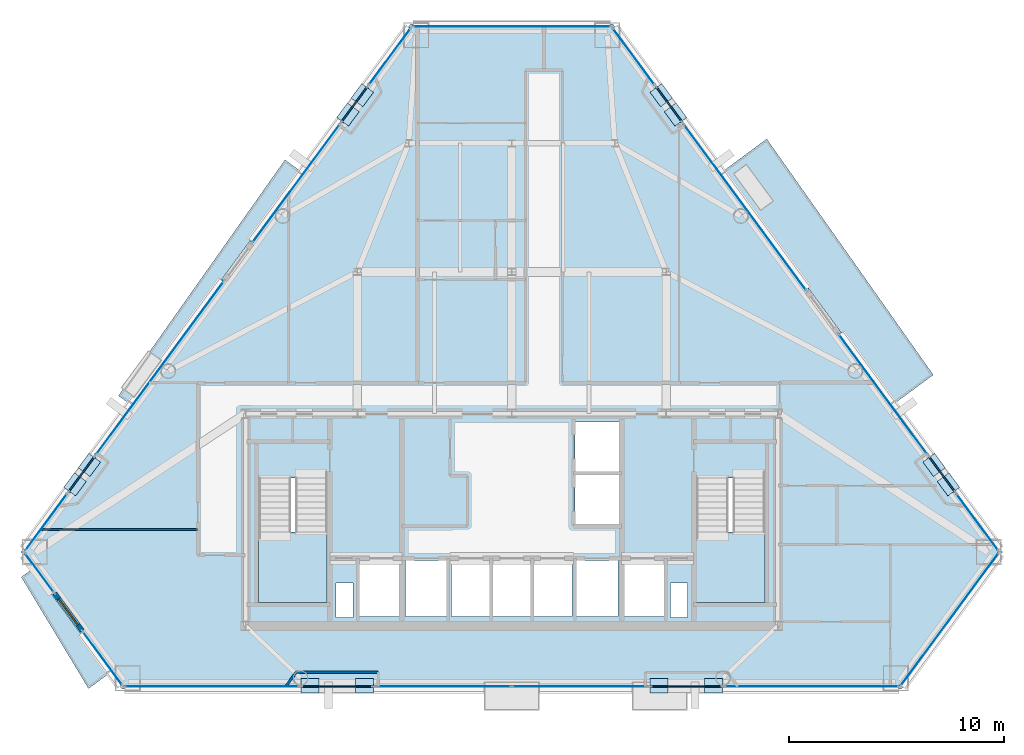
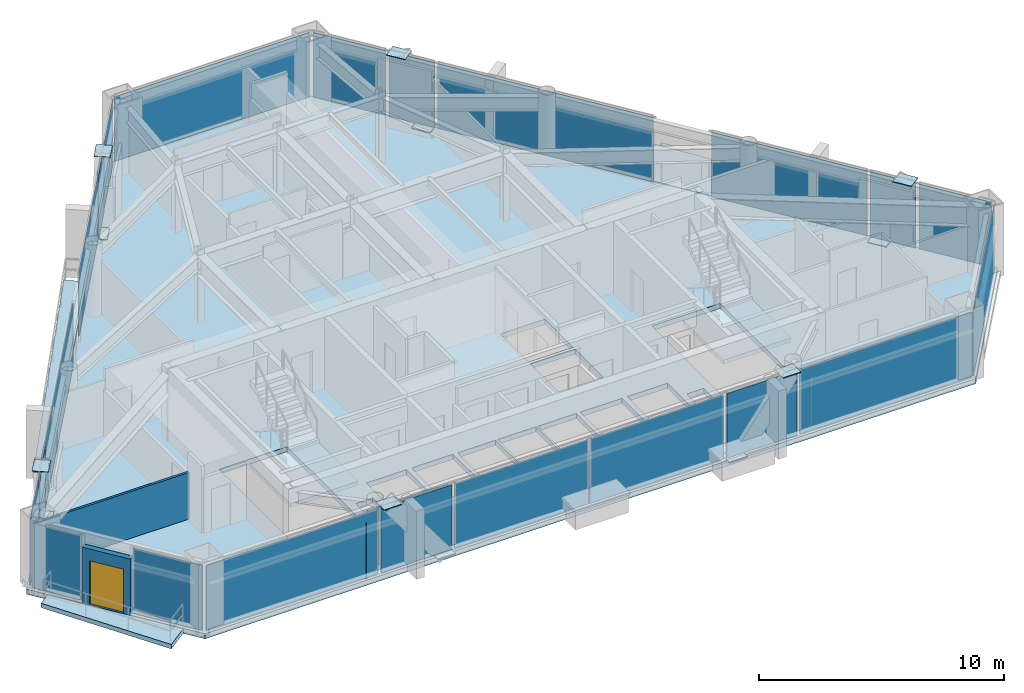
# One storey, part 6 of 11: 34 plates, 6 slabs, 4 walls, 1 door, 1 opening, 23 elements without a shape of their own.
"""IFC4 building model written with IfcOpenShell, lengths in metres."""

from ifc_helpers import new_model, si_unit, direction, frame, frame_2d, origin, origin_2d, place, context, subcontext, project, spatial, polyline, rectangle, outline, extrude, source, transform, mapped, material, layer, layer_set, type_object, type_shapes, element, fill, aggregate, save


model = new_model("IFC4")

# Units and contexts
model_context = context("Model", 3, precision=1e-05, world=origin(), true_north=direction((0.0, 1.0)))
body_context = subcontext(model_context, "Body", "Model", "MODEL_VIEW")
ifc_project = project(units=[si_unit("LENGTHUNIT", "METRE"), si_unit("AREAUNIT", "SQUARE_METRE"), si_unit("VOLUMEUNIT", "CUBIC_METRE"), si_unit("PLANEANGLEUNIT", "RADIAN"), si_unit("MASSUNIT", "GRAM", prefix="KILO")], contexts=[model_context])

# Site, building, storey
site_placement = place(None, origin())
site = spatial("IfcSite", under=ifc_project, at=site_placement, CompositionType="ELEMENT")
building_placement = place(site_placement, origin())
building = spatial("IfcBuilding", under=site, at=building_placement, Name="Talgorran Terracotta Tower", CompositionType="ELEMENT")
storey_placement = place(building_placement, frame((0.0, 0.0, 158.10009765625)))
storey = spatial("IfcBuildingStorey", under=building, at=storey_placement, Name="L41", CompositionType="ELEMENT", Elevation=158.10009765625)

# Plates
ifc_material_1 = material(Name="Steel Grade 350 (350L0)", Category="steel")
ifc_layer_1 = layer(ifc_material_1, 0.035888671875, Name="PL_CAP_MN06")
ifc_layer_set_1 = layer_set([ifc_layer_1], Name="Steel Grade 350 (350L0)")
plate_type_1 = type_object("IfcPlateType", Name="PL_CAP_MN06", PredefinedType="USERDEFINED", material=ifc_layer_set_1)
for number, where, z_axis, x_axis, name in (
    (1, (-6.870361328125, -16.889892578125, -0.0078125), (0.0, 0.0, 1.0), (-1.0, 0.0, 0.0), "L41 Diagonal Frame End Cap SWF Bot"),
    (2, (-9.401611328125, -16.889892578125, 3.32177734375), (0.0, 0.0, 1.0), (-1.0, 0.0, 0.0), "L41 Diagonal Frame End Cap SWF Top"),
    (3, (6.870361328125, -16.889892578125, -0.0078125), (0.0, 0.0, 1.0), (1.0, 0.0, 0.0), "L41 Diagonal Frame End Cap SEF Bot"),
    (4, (9.401611328125, -16.889892578125, 3.32177734375), (0.0, 0.0, 1.0), (1.0, 0.0, 0.0), "L41 Diagonal Frame End Cap SEF Top"),
    (5, (19.686279296875, -6.595947265625, -0.0078125), (0.0, 0.0, 1.0), (0.593699811383, -0.804686606055, 0.0), "L41 Diagonal Frame End Cap NEL Bot"),
    (6, (20.35400390625, -7.500732421875, 3.32177734375), (0.0, 0.0, 1.0), (0.593699811383, -0.804686606055, 0.0), "L41 Diagonal Frame End Cap NEL Top"),
    (7, (7.6337890625, 9.736083984375, -0.0078125), (0.0, 0.0, 1.0), (-0.593699811383, 0.804686606055, 0.0), "L41 Diagonal Frame End Cap NEU Bot"),
    (8, (6.96630859375, 10.640625, 3.32177734375), (0.0, 0.0, 1.0), (-0.593699811383, 0.804686606055, 0.0), "L41 Diagonal Frame End Cap NEU Top"),
    (9, (-7.6337890625, 9.736083984375, -0.0078125), (0.0, 0.0, 1.0), (0.593699811383, 0.804686606055, 0.0), "L41 Diagonal Frame End Cap NWU Bot"),
    (10, (-6.96630859375, 10.640625, 3.32177734375), (0.0, 0.0, 1.0), (0.593699811383, 0.804686606055, 0.0), "L41 Diagonal Frame End Cap NWU Top"),
    (11, (-19.686279296875, -6.595947265625, -0.0078125), (0.0, 0.0, 1.0), (-0.593699811383, -0.804686606055, 0.0), "L41 Diagonal Frame End Cap NWL Bot"),
    (12, (-20.35400390625, -7.500732421875, 3.32177734375), (0.0, 0.0, 1.0), (-0.593699811383, -0.804686606055, 0.0), "L41 Diagonal Frame End Cap NWL Top"),
):
    element("IfcPlate", number, at=place(storey_placement, frame(where, z_axis=z_axis, x_axis=x_axis)), inside=storey, type_object=plate_type_1, Name=name, ObjectType="CAP PLATE", PredefinedType="USERDEFINED", context=body_context, shape_type="SweptSolid", body=[
        extrude(rectangle(XDim=0.840087890625, YDim=0.679931640625, at=origin_2d()), origin(), (0.0, 0.0, 1.0), 0.035888671875),
    ])

# Slabs
ifc_material_2 = material(Name="Concrete C40/50", Category="concrete")
ifc_layer_2 = layer(ifc_material_2, 0.219970703125, Name="SL_BALCONY_220")
ifc_layer_set_2 = layer_set([ifc_layer_2], Name="Concrete C40/50")
slab_type_1 = type_object("IfcSlabType", Name="SL_BALCONY_220", PredefinedType="FLOOR", material=ifc_layer_set_2)
slab_1_placement = place(storey_placement, frame((0.0, 0.0, -0.22021484375)))
element("IfcSlab", 13, at=slab_1_placement, inside=storey, type_object=slab_type_1, Name="L41 Outdoor Wave Balcony BAL-NE", PredefinedType="FLOOR", context=body_context, shape_type="SweptSolid", body=[
    extrude(outline(polyline([(9.816650390625, 7.072998046875), (17.8076171875, -3.755126953125), (19.64794921875, -2.39697265625), (11.884765625, 8.59912109375), (9.816650390625, 7.072998046875)])), origin(), (0.0, 0.0, 1.0), 0.22021484375),
])
slab_2_placement = place(storey_placement, frame((0.0, 0.0, -0.22021484375)))
element("IfcSlab", 14, at=slab_2_placement, inside=storey, type_object=slab_type_1, Name="L41 Outdoor Wave Balcony BAL-NW", PredefinedType="FLOOR", context=body_context, shape_type="SweptSolid", body=[
    extrude(outline(polyline([(-17.8076171875, -3.755126953125), (-9.816650390625, 7.072998046875), (-10.567138671875, 7.626708984375), (-18.330322265625, -3.369384765625), (-17.8076171875, -3.755126953125)])), origin(), (0.0, 0.0, 1.0), 0.22021484375),
])
slab_3_placement = place(storey_placement, frame((0.0, 0.0, -0.22021484375)))
element("IfcSlab", 15, at=slab_3_placement, inside=storey, type_object=slab_type_1, Name="L41 Outdoor Wave Balcony BAL-SW", PredefinedType="FLOOR", context=body_context, shape_type="SweptSolid", body=[
    extrude(outline(polyline([(-18.7392578125, -16.29150390625), (-22.326171875, -11.430908203125), (-22.8583984375, -11.823974609375), (-19.726806640625, -17.020263671875), (-18.7392578125, -16.29150390625)])), origin(), (0.0, 0.0, 1.0), 0.22021484375),
])

# Stair, slab
stair_type = type_object("IfcStairType", Name="ST_FIRE_SCISSOR", PredefinedType="HALF_TURN_STAIR", material=ifc_material_2)
stair_1_placement = place(storey_placement, origin())
stair_1 = element("IfcStair", 16, at=stair_1_placement, inside=storey, type_object=stair_type, Name="L41 West Protected Fire Stair ST-01", PredefinedType="HALF_TURN_STAIR")
ifc_layer_3 = layer(ifc_material_2, 0.199951171875, Name="SL_LANDING_200")
ifc_layer_set_3 = layer_set([ifc_layer_3], Name="Concrete C40/50")
slab_type_2 = type_object("IfcSlabType", Name="SL_LANDING_200", PredefinedType="LANDING", material=ifc_layer_set_3)
slab_4_placement = place(storey_placement, frame((0.0, 0.0, 1.599853515625)))
slab_4 = element("IfcSlab", 17, at=slab_4_placement, type_object=slab_type_2, Name="ST-01 landing 1", PredefinedType="LANDING", context=body_context, shape_type="SweptSolid", body=[
    extrude(outline(polyline([(-11.800048828125, -9.719970703125), (-11.800048828125, -13.0), (-8.60009765625, -13.0), (-8.60009765625, -9.719970703125), (-11.800048828125, -9.719970703125)])), origin(), (0.0, 0.0, 1.0), 0.199951171875),
])
aggregate(stair_1, [slab_4])

stair_2_placement = place(storey_placement, origin())
stair_2 = element("IfcStair", 18, at=stair_2_placement, inside=storey, type_object=stair_type, Name="L41 East Protected Fire Stair ST-02", PredefinedType="HALF_TURN_STAIR")
slab_5_placement = place(storey_placement, frame((0.0, 0.0, 1.599853515625)))
slab_5 = element("IfcSlab", 19, at=slab_5_placement, type_object=slab_type_2, Name="ST-02 landing 1", PredefinedType="LANDING", context=body_context, shape_type="SweptSolid", body=[
    extrude(outline(polyline([(8.60009765625, -9.719970703125), (8.60009765625, -13.0), (11.800048828125, -13.0), (11.800048828125, -9.719970703125), (8.60009765625, -9.719970703125)])), origin(), (0.0, 0.0, 1.0), 0.199951171875),
])
aggregate(stair_2, [slab_5])

# Slab
ifc_layer_4 = layer(ifc_material_2, 0.25, Name="SL_TOWER_250")
ifc_layer_set_4 = layer_set([ifc_layer_4], Name="Concrete C40/50")
slab_type_3 = type_object("IfcSlabType", Name="SL_TOWER_250", PredefinedType="FLOOR", material=ifc_layer_set_4)
slab_6_placement = place(storey_placement, frame((0.0, 0.0, -0.25)))
element("IfcSlab", 20, at=slab_6_placement, inside=storey, type_object=slab_type_3, Name="Storey L41 Structural Floor Slab", PredefinedType="FLOOR", context=body_context, shape_type="SweptSolid", body=[
    extrude(outline(polyline([(-22.88037109375, -10.654541015625), (-18.160888671875, -17.050048828125), (18.160888671875, -17.050048828125), (22.88037109375, -10.654541015625), (4.719482421875, 13.95458984375), (-4.719482421875, 13.95458984375), (-22.88037109375, -10.654541015625)]), holes=[polyline([(-11.800048828125, -7.199951171875), (-11.800048828125, -13.0), (-8.60009765625, -13.0), (-8.60009765625, -7.199951171875), (-11.800048828125, -7.199951171875)]), polyline([(8.60009765625, -7.199951171875), (8.60009765625, -13.0), (11.800048828125, -13.0), (11.800048828125, -7.199951171875), (8.60009765625, -7.199951171875)]), polyline([(-7.10009765625, -13.64990234375), (-5.199951171875, -13.64990234375), (-5.199951171875, -11.050048828125), (-7.10009765625, -11.050048828125), (-7.10009765625, -13.64990234375)]), polyline([(5.199951171875, -13.64990234375), (7.10009765625, -13.64990234375), (7.10009765625, -11.050048828125), (5.199951171875, -11.050048828125), (5.199951171875, -13.64990234375)]), polyline([(3.0, -13.64990234375), (4.949951171875, -13.64990234375), (4.949951171875, -11.050048828125), (3.0, -11.050048828125), (3.0, -13.64990234375)]), polyline([(-4.949951171875, -13.64990234375), (-3.0, -13.64990234375), (-3.0, -11.050048828125), (-4.949951171875, -11.050048828125), (-4.949951171875, -13.64990234375)]), polyline([(2.949951171875, -9.35009765625), (5.050048828125, -9.35009765625), (5.050048828125, -7.050048828125), (2.949951171875, -7.050048828125), (2.949951171875, -9.35009765625)]), polyline([(2.949951171875, -6.89990234375), (5.050048828125, -6.89990234375), (5.050048828125, -4.60009765625), (2.949951171875, -4.60009765625), (2.949951171875, -6.89990234375)]), polyline([(-2.800048828125, -13.64990234375), (-1.0, -13.64990234375), (-1.0, -11.050048828125), (-2.800048828125, -11.050048828125), (-2.800048828125, -13.64990234375)]), polyline([(-0.89990234375, -13.64990234375), (0.89990234375, -13.64990234375), (0.89990234375, -11.050048828125), (-0.89990234375, -11.050048828125), (-0.89990234375, -13.64990234375)]), polyline([(1.0, -13.64990234375), (2.800048828125, -13.64990234375), (2.800048828125, -11.050048828125), (1.0, -11.050048828125), (1.0, -13.64990234375)]), polyline([(-8.199951171875, -13.699951171875), (-7.39990234375, -13.699951171875), (-7.39990234375, -12.10009765625), (-8.199951171875, -12.10009765625), (-8.199951171875, -13.699951171875)]), polyline([(7.39990234375, -13.699951171875), (8.199951171875, -13.699951171875), (8.199951171875, -12.10009765625), (7.39990234375, -12.10009765625), (7.39990234375, -13.699951171875)])]), origin(), (0.0, 0.0, 1.0), 0.25),
])

# Curtain wall, plate
ifc_material_3 = material(Name="Unitised Low-E Double Glazing", Category="glass")
ifc_layer_5 = layer(ifc_material_3, 0.199951171875, Name="CW_SYS2_RES_LOW")
ifc_layer_set_5 = layer_set([ifc_layer_5], Name="Unitised Low-E Double Glazing")
curtain_wall_type = type_object("IfcCurtainWallType", Name="CW_SYS2_RES_LOW", PredefinedType="NOTDEFINED", material=ifc_layer_set_5)
curtain_wall_1_placement = place(storey_placement, origin())
curtain_wall_1 = element("IfcCurtainWall", 21, at=curtain_wall_1_placement, inside=storey, type_object=curtain_wall_type, Name="CW-L41-F10", PredefinedType="NOTDEFINED")
ifc_material_4 = material(Name="Low-E Laminated Vision Glass", Category="glass")
ifc_layer_6 = layer(ifc_material_4, 0.028076171875, Name="PLT_VISION_28")
ifc_layer_set_6 = layer_set([ifc_layer_6], Name="Low-E Laminated Vision Glass")
plate_type_2 = type_object("IfcPlateType", Name="PLT_VISION_28", PredefinedType="CURTAIN_PANEL", material=ifc_layer_set_6)
shared_shape_1 = source(origin(), body_context, "Body", "SweptSolid", [
    extrude(rectangle(XDim=2.224609375, YDim=0.028076171875, at=origin_2d()), origin(), (0.0, 0.0, 1.0), 3.219970703125),
])
plate_1_placement = place(storey_placement, frame((-22.008544921875, -11.634033203125, 0.06494140625), z_axis=(0.0, 0.0, 1.0), x_axis=(0.593791416997, -0.804619011148, 0.0)))
plate_1 = element("IfcPlate", 22, at=plate_1_placement, type_object=plate_type_2, Name="CW-L41-10 panel 1.1", PredefinedType="CURTAIN_PANEL", context=body_context, shape_type="MappedRepresentation", body=[
    mapped(shared_shape_1, transform((0.0, 0.0, 0.0), scale=1.0)),
])
aggregate(curtain_wall_1, [plate_1])

curtain_wall_2_placement = place(storey_placement, origin())
curtain_wall_2 = element("IfcCurtainWall", 23, at=curtain_wall_2_placement, inside=storey, type_object=curtain_wall_type, Name="CW-L41-F11", PredefinedType="NOTDEFINED")
shared_shape_2 = source(origin(), body_context, "Body", "SweptSolid", [
    extrude(rectangle(XDim=3.074462890625, YDim=0.028076171875, at=origin_2d()), origin(), (0.0, 0.0, 1.0), 3.219970703125),
])
plate_2_placement = place(storey_placement, frame((-19.075439453125, -15.608642578125, 0.06494140625), z_axis=(0.0, 0.0, 1.0), x_axis=(0.593775820957, -0.804630520455, 0.0)))
plate_2 = element("IfcPlate", 24, at=plate_2_placement, type_object=plate_type_2, Name="CW-L41-11 panel 1.1", PredefinedType="CURTAIN_PANEL", context=body_context, shape_type="MappedRepresentation", body=[
    mapped(shared_shape_2, transform((0.0, 0.0, 0.0), scale=1.0)),
])
aggregate(curtain_wall_2, [plate_2])

curtain_wall_3_placement = place(storey_placement, origin())
curtain_wall_3 = element("IfcCurtainWall", 25, at=curtain_wall_3_placement, inside=storey, type_object=curtain_wall_type, Name="CW-L41-F1", PredefinedType="NOTDEFINED")
shared_shape_3 = source(origin(), body_context, "Body", "SweptSolid", [
    extrude(rectangle(XDim=8.100830078125, YDim=0.028076171875, at=origin_2d()), origin(), (0.0, 0.0, 1.0), 3.219970703125),
])
plate_3_placement = place(storey_placement, frame((-13.98486328125, -16.929931640625, 0.06494140625), z_axis=(0.0, 0.0, 1.0), x_axis=(1.0, 0.0, 0.0)))
plate_3 = element("IfcPlate", 26, at=plate_3_placement, type_object=plate_type_2, Name="CW-L41-1 panel 1.1", PredefinedType="CURTAIN_PANEL", context=body_context, shape_type="MappedRepresentation", body=[
    mapped(shared_shape_3, transform((0.0, 0.0, 0.0), scale=1.0)),
])
aggregate(curtain_wall_3, [plate_3])

curtain_wall_4_placement = place(storey_placement, origin())
curtain_wall_4 = element("IfcCurtainWall", 27, at=curtain_wall_4_placement, inside=storey, type_object=curtain_wall_type, Name="CW-L41-F1E", PredefinedType="NOTDEFINED")
plate_4_placement = place(storey_placement, frame((13.98486328125, -16.929931640625, 0.06494140625), z_axis=(0.0, 0.0, 1.0), x_axis=(1.0, 0.0, 0.0)))
plate_4 = element("IfcPlate", 28, at=plate_4_placement, type_object=plate_type_2, Name="CW-L41-1E panel 1.1", PredefinedType="CURTAIN_PANEL", context=body_context, shape_type="MappedRepresentation", body=[
    mapped(shared_shape_3, transform((0.0, 0.0, 0.0), scale=1.0)),
])
aggregate(curtain_wall_4, [plate_4])

curtain_wall_5_placement = place(storey_placement, origin())
curtain_wall_5 = element("IfcCurtainWall", 29, at=curtain_wall_5_placement, inside=storey, type_object=curtain_wall_type, Name="CW-L41-F1B", PredefinedType="NOTDEFINED")
ifc_material_5 = material(Name="Terracotta Insulated Spandrel", Category="masonry")
ifc_layer_7 = layer(ifc_material_5, 0.06494140625, Name="PLT_SPANDREL_TERRA")
ifc_layer_set_7 = layer_set([ifc_layer_7], Name="Terracotta Insulated Spandrel")
plate_type_3 = type_object("IfcPlateType", Name="PLT_SPANDREL_TERRA", PredefinedType="SHEET", material=ifc_layer_set_7)
shared_shape_4 = source(origin(), body_context, "Body", "SweptSolid", [
    extrude(rectangle(XDim=3.31689453125, YDim=0.06494140625, at=origin_2d()), origin(), (0.0, 0.0, 1.0), 3.219970703125),
])
plate_5_placement = place(storey_placement, frame((-8.135986328125, -16.929931640625, 0.06494140625), z_axis=(0.0, 0.0, 1.0), x_axis=(1.0, 0.0, 0.0)))
plate_5 = element("IfcPlate", 30, at=plate_5_placement, type_object=plate_type_3, Name="CW-L41-1B panel 1.1", PredefinedType="CURTAIN_PANEL", context=body_context, shape_type="MappedRepresentation", body=[
    mapped(shared_shape_4, transform((0.0, 0.0, 0.0), scale=1.0)),
])
aggregate(curtain_wall_5, [plate_5])

curtain_wall_6_placement = place(storey_placement, origin())
curtain_wall_6 = element("IfcCurtainWall", 31, at=curtain_wall_6_placement, inside=storey, type_object=curtain_wall_type, Name="CW-L41-F1D", PredefinedType="NOTDEFINED")
plate_6_placement = place(storey_placement, frame((8.135986328125, -16.929931640625, 0.06494140625), z_axis=(0.0, 0.0, 1.0), x_axis=(1.0, 0.0, 0.0)))
plate_6 = element("IfcPlate", 32, at=plate_6_placement, type_object=plate_type_3, Name="CW-L41-1D panel 1.1", PredefinedType="CURTAIN_PANEL", context=body_context, shape_type="MappedRepresentation", body=[
    mapped(shared_shape_4, transform((0.0, 0.0, 0.0), scale=1.0)),
])
aggregate(curtain_wall_6, [plate_6])

# Curtain wall, plates
curtain_wall_7_placement = place(storey_placement, origin())
curtain_wall_7 = element("IfcCurtainWall", 33, at=curtain_wall_7_placement, inside=storey, type_object=curtain_wall_type, Name="CW-L41-F1C", PredefinedType="NOTDEFINED")
shared_shape_5 = source(origin(), body_context, "Body", "SweptSolid", [
    extrude(rectangle(XDim=6.30517578125, YDim=0.028076171875, at=origin_2d()), origin(), (0.0, 0.0, 1.0), 3.219970703125),
])
plate_7_placement = place(storey_placement, frame((-3.18505859375, -16.929931640625, 0.06494140625), z_axis=(0.0, 0.0, 1.0), x_axis=(1.0, 0.0, 0.0)))
plate_7 = element("IfcPlate", 34, at=plate_7_placement, type_object=plate_type_2, Name="CW-L41-1C panel 1.1", PredefinedType="CURTAIN_PANEL", context=body_context, shape_type="MappedRepresentation", body=[
    mapped(shared_shape_5, transform((0.0, 0.0, 0.0), scale=1.0)),
])
plate_8_placement = place(storey_placement, frame((3.18505859375, -16.929931640625, 0.06494140625), z_axis=(0.0, 0.0, 1.0), x_axis=(1.0, 0.0, 0.0)))
plate_8 = element("IfcPlate", 35, at=plate_8_placement, type_object=plate_type_2, Name="CW-L41-1C panel 2.1", PredefinedType="CURTAIN_PANEL", context=body_context, shape_type="MappedRepresentation", body=[
    mapped(shared_shape_5, transform((0.0, 0.0, 0.0), scale=1.0)),
])
aggregate(curtain_wall_7, [plate_7, plate_8])

# Curtain wall, plate
curtain_wall_8_placement = place(storey_placement, origin())
curtain_wall_8 = element("IfcCurtainWall", 36, at=curtain_wall_8_placement, inside=storey, type_object=curtain_wall_type, Name="CW-L41-F2", PredefinedType="NOTDEFINED")
shared_shape_6 = source(origin(), body_context, "Body", "SweptSolid", [
    extrude(rectangle(XDim=7.669189453125, YDim=0.028076171875, at=origin_2d()), origin(), (0.0, 0.0, 1.0), 3.219970703125),
])
plate_9_placement = place(storey_placement, frame((20.415771484375, -13.792236328125, 0.06494140625), z_axis=(0.0, 0.0, 1.0), x_axis=(0.593790637498, 0.804619586401, 0.0)))
plate_9 = element("IfcPlate", 37, at=plate_9_placement, type_object=plate_type_2, Name="CW-L41-2 panel 1.1", PredefinedType="CURTAIN_PANEL", context=body_context, shape_type="MappedRepresentation", body=[
    mapped(shared_shape_6, transform((0.0, 0.0, 0.0), scale=1.0)),
])
aggregate(curtain_wall_8, [plate_9])

curtain_wall_9_placement = place(storey_placement, origin())
curtain_wall_9 = element("IfcCurtainWall", 38, at=curtain_wall_9_placement, inside=storey, type_object=curtain_wall_type, Name="CW-L41-F40", PredefinedType="NOTDEFINED")
shared_shape_7 = source(origin(), body_context, "Body", "SweptSolid", [
    extrude(rectangle(XDim=3.25390625, YDim=0.028076171875, at=origin_2d()), origin(), (0.0, 0.0, 1.0), 3.219970703125),
])
plate_10_placement = place(storey_placement, frame((21.702880859375, -9.260986328125, 0.06494140625), z_axis=(0.0, 0.0, 1.0), x_axis=(-0.593797639684, 0.804614418902, 0.0)))
plate_10 = element("IfcPlate", 39, at=plate_10_placement, type_object=plate_type_2, Name="CW-L41-40 panel 1.1", PredefinedType="CURTAIN_PANEL", context=body_context, shape_type="MappedRepresentation", body=[
    mapped(shared_shape_7, transform((0.0, 0.0, 0.0), scale=1.0)),
])
aggregate(curtain_wall_9, [plate_10])

curtain_wall_10_placement = place(storey_placement, origin())
curtain_wall_10 = element("IfcCurtainWall", 40, at=curtain_wall_10_placement, inside=storey, type_object=curtain_wall_type, Name="CW-L41-F61C", PredefinedType="NOTDEFINED")
plate_11_placement = place(storey_placement, frame((-21.702880859375, -9.260986328125, 0.06494140625), z_axis=(0.0, 0.0, 1.0), x_axis=(-0.593797639684, -0.804614418902, 0.0)))
plate_11 = element("IfcPlate", 41, at=plate_11_placement, type_object=plate_type_2, Name="CW-L41-61C panel 1.1", PredefinedType="CURTAIN_PANEL", context=body_context, shape_type="MappedRepresentation", body=[
    mapped(shared_shape_7, transform((0.0, 0.0, 0.0), scale=1.0)),
])
aggregate(curtain_wall_10, [plate_11])

curtain_wall_11_placement = place(storey_placement, origin())
curtain_wall_11 = element("IfcCurtainWall", 42, at=curtain_wall_11_placement, inside=storey, type_object=curtain_wall_type, Name="CW-L41-F40B", PredefinedType="NOTDEFINED")
shared_shape_8 = source(origin(), body_context, "Body", "SweptSolid", [
    extrude(rectangle(XDim=2.02490234375, YDim=0.06494140625, at=origin_2d()), origin(), (0.0, 0.0, 1.0), 3.219970703125),
])
type_shapes(plate_type_3, [shared_shape_4, shared_shape_8])
plate_12_placement = place(storey_placement, frame((20.052490234375, -7.024658203125, 0.06494140625), z_axis=(0.0, 0.0, 1.0), x_axis=(-0.593797222616, 0.804614726694, 0.0)))
plate_12 = element("IfcPlate", 43, at=plate_12_placement, type_object=plate_type_3, Name="CW-L41-40B panel 1.1", PredefinedType="CURTAIN_PANEL", context=body_context, shape_type="MappedRepresentation", body=[
    mapped(shared_shape_8, transform((0.0, 0.0, 0.0), scale=1.0)),
])
aggregate(curtain_wall_11, [plate_12])

curtain_wall_12_placement = place(storey_placement, origin())
curtain_wall_12 = element("IfcCurtainWall", 44, at=curtain_wall_12_placement, inside=storey, type_object=curtain_wall_type, Name="CW-L41-F41B", PredefinedType="NOTDEFINED")
plate_13_placement = place(storey_placement, frame((7.332275390625, 10.212158203125, 0.06494140625), z_axis=(0.0, 0.0, 1.0), x_axis=(-0.593797222616, 0.804614726694, 0.0)))
plate_13 = element("IfcPlate", 45, at=plate_13_placement, type_object=plate_type_3, Name="CW-L41-41B panel 1.1", PredefinedType="CURTAIN_PANEL", context=body_context, shape_type="MappedRepresentation", body=[
    mapped(shared_shape_8, transform((0.0, 0.0, 0.0), scale=1.0)),
])
aggregate(curtain_wall_12, [plate_13])

curtain_wall_13_placement = place(storey_placement, origin())
curtain_wall_13 = element("IfcCurtainWall", 46, at=curtain_wall_13_placement, inside=storey, type_object=curtain_wall_type, Name="CW-L41-F60B", PredefinedType="NOTDEFINED")
plate_14_placement = place(storey_placement, frame((-7.332275390625, 10.212158203125, 0.06494140625), z_axis=(0.0, 0.0, 1.0), x_axis=(-0.593797222616, -0.804614726694, 0.0)))
plate_14 = element("IfcPlate", 47, at=plate_14_placement, type_object=plate_type_3, Name="CW-L41-60B panel 1.1", PredefinedType="CURTAIN_PANEL", context=body_context, shape_type="MappedRepresentation", body=[
    mapped(shared_shape_8, transform((0.0, 0.0, 0.0), scale=1.0)),
])
aggregate(curtain_wall_13, [plate_14])

curtain_wall_14_placement = place(storey_placement, origin())
curtain_wall_14 = element("IfcCurtainWall", 48, at=curtain_wall_14_placement, inside=storey, type_object=curtain_wall_type, Name="CW-L41-F61B", PredefinedType="NOTDEFINED")
plate_15_placement = place(storey_placement, frame((-20.052490234375, -7.024658203125, 0.06494140625), z_axis=(0.0, 0.0, 1.0), x_axis=(-0.593797222616, -0.804614726694, 0.0)))
plate_15 = element("IfcPlate", 49, at=plate_15_placement, type_object=plate_type_3, Name="CW-L41-61B panel 1.1", PredefinedType="CURTAIN_PANEL", context=body_context, shape_type="MappedRepresentation", body=[
    mapped(shared_shape_8, transform((0.0, 0.0, 0.0), scale=1.0)),
])
aggregate(curtain_wall_14, [plate_15])

curtain_wall_15_placement = place(storey_placement, origin())
curtain_wall_15 = element("IfcCurtainWall", 50, at=curtain_wall_15_placement, inside=storey, type_object=curtain_wall_type, Name="CW-L41-F40C", PredefinedType="NOTDEFINED")
shared_shape_9 = source(origin(), body_context, "Body", "SweptSolid", [
    extrude(rectangle(XDim=6.93017578125, YDim=0.028076171875, at=origin_2d()), origin(), (0.0, 0.0, 1.0), 3.219970703125),
])
plate_16_placement = place(storey_placement, frame((17.310546875, -3.309326171875, 0.06494140625), z_axis=(0.0, 0.0, 1.0), x_axis=(-0.5937883303, 0.804621289054, 0.0)))
plate_16 = element("IfcPlate", 51, at=plate_16_placement, type_object=plate_type_2, Name="CW-L41-40C panel 1.1", PredefinedType="CURTAIN_PANEL", context=body_context, shape_type="MappedRepresentation", body=[
    mapped(shared_shape_9, transform((0.0, 0.0, 0.0), scale=1.0)),
])
aggregate(curtain_wall_15, [plate_16])

curtain_wall_16_placement = place(storey_placement, origin())
curtain_wall_16 = element("IfcCurtainWall", 52, at=curtain_wall_16_placement, inside=storey, type_object=curtain_wall_type, Name="CW-L41-F41", PredefinedType="NOTDEFINED")
shared_shape_10 = source(origin(), body_context, "Body", "SweptSolid", [
    extrude(rectangle(XDim=9.59716796875, YDim=0.028076171875, at=origin_2d()), origin(), (0.0, 0.0, 1.0), 3.219970703125),
])
plate_17_placement = place(storey_placement, frame((10.865966796875, 5.423828125, 0.06494140625), z_axis=(0.0, 0.0, 1.0), x_axis=(-0.593787329013, 0.804622027975, 0.0)))
plate_17 = element("IfcPlate", 53, at=plate_17_placement, type_object=plate_type_2, Name="CW-L41-41 panel 1.1", PredefinedType="CURTAIN_PANEL", context=body_context, shape_type="MappedRepresentation", body=[
    mapped(shared_shape_10, transform((0.0, 0.0, 0.0), scale=1.0)),
])
aggregate(curtain_wall_16, [plate_17])

curtain_wall_17_placement = place(storey_placement, origin())
curtain_wall_17 = element("IfcCurtainWall", 54, at=curtain_wall_17_placement, inside=storey, type_object=curtain_wall_type, Name="CW-L41-F41C", PredefinedType="NOTDEFINED")
shared_shape_11 = source(origin(), body_context, "Body", "SweptSolid", [
    extrude(rectangle(XDim=3.24462890625, YDim=0.028076171875, at=origin_2d()), origin(), (0.0, 0.0, 1.0), 3.219970703125),
])
plate_18_placement = place(storey_placement, frame((5.684814453125, 12.44482421875, 0.06494140625), z_axis=(0.0, 0.0, 1.0), x_axis=(-0.59378515574, 0.804623631783, 0.0)))
plate_18 = element("IfcPlate", 55, at=plate_18_placement, type_object=plate_type_2, Name="CW-L41-41C panel 1.1", PredefinedType="CURTAIN_PANEL", context=body_context, shape_type="MappedRepresentation", body=[
    mapped(shared_shape_11, transform((0.0, 0.0, 0.0), scale=1.0)),
])
aggregate(curtain_wall_17, [plate_18])

curtain_wall_18_placement = place(storey_placement, origin())
curtain_wall_18 = element("IfcCurtainWall", 56, at=curtain_wall_18_placement, inside=storey, type_object=curtain_wall_type, Name="CW-L41-F60", PredefinedType="NOTDEFINED")
plate_19_placement = place(storey_placement, frame((-5.684814453125, 12.44482421875, 0.06494140625), z_axis=(0.0, 0.0, 1.0), x_axis=(-0.59378515574, -0.804623631783, 0.0)))
plate_19 = element("IfcPlate", 57, at=plate_19_placement, type_object=plate_type_2, Name="CW-L41-60 panel 1.1", PredefinedType="CURTAIN_PANEL", context=body_context, shape_type="MappedRepresentation", body=[
    mapped(shared_shape_11, transform((0.0, 0.0, 0.0), scale=1.0)),
])
aggregate(curtain_wall_18, [plate_19])

curtain_wall_19_placement = place(storey_placement, origin())
curtain_wall_19 = element("IfcCurtainWall", 58, at=curtain_wall_19_placement, inside=storey, type_object=curtain_wall_type, Name="CW-L41-F4", PredefinedType="NOTDEFINED")
shared_shape_12 = source(origin(), body_context, "Body", "SweptSolid", [
    extrude(rectangle(XDim=9.18798828125, YDim=0.028076171875, at=origin_2d()), origin(), (0.0, 0.0, 1.0), 3.219970703125),
])
plate_20_placement = place(storey_placement, frame((0.0, 13.834716796875, 0.06494140625), z_axis=(0.0, 0.0, 1.0), x_axis=(-1.0, 0.0, 0.0)))
plate_20 = element("IfcPlate", 59, at=plate_20_placement, type_object=plate_type_2, Name="CW-L41-4 panel 1.1", PredefinedType="CURTAIN_PANEL", context=body_context, shape_type="MappedRepresentation", body=[
    mapped(shared_shape_12, transform((0.0, 0.0, 0.0), scale=1.0)),
])
aggregate(curtain_wall_19, [plate_20])

curtain_wall_20_placement = place(storey_placement, origin())
curtain_wall_20 = element("IfcCurtainWall", 60, at=curtain_wall_20_placement, inside=storey, type_object=curtain_wall_type, Name="CW-L41-F60C", PredefinedType="NOTDEFINED")
shared_shape_13 = source(origin(), body_context, "Body", "SweptSolid", [
    extrude(rectangle(XDim=6.8271484375, YDim=0.028076171875, at=origin_2d()), origin(), (0.0, 0.0, 1.0), 3.219970703125),
])
plate_21_placement = place(storey_placement, frame((-10.04345703125, 6.5380859375, 0.06494140625), z_axis=(0.0, 0.0, 1.0), x_axis=(-0.593788713457, -0.804621006295, 0.0)))
plate_21 = element("IfcPlate", 61, at=plate_21_placement, type_object=plate_type_2, Name="CW-L41-60C panel 1.1", PredefinedType="CURTAIN_PANEL", context=body_context, shape_type="MappedRepresentation", body=[
    mapped(shared_shape_13, transform((0.0, 0.0, 0.0), scale=1.0)),
])
aggregate(curtain_wall_20, [plate_21])

curtain_wall_21_placement = place(storey_placement, origin())
curtain_wall_21 = element("IfcCurtainWall", 62, at=curtain_wall_21_placement, inside=storey, type_object=curtain_wall_type, Name="CW-L41-F61", PredefinedType="NOTDEFINED")
shared_shape_14 = source(origin(), body_context, "Body", "SweptSolid", [
    extrude(rectangle(XDim=10.0, YDim=0.028076171875, at=origin_2d()), origin(), (0.0, 0.0, 1.0), 3.219970703125),
])
type_shapes(plate_type_2, [shared_shape_1, shared_shape_2, shared_shape_3, shared_shape_5, shared_shape_6, shared_shape_7, shared_shape_9, shared_shape_10, shared_shape_11, shared_shape_12, shared_shape_13, shared_shape_14])
plate_22_placement = place(storey_placement, frame((-16.399169921875, -2.07421875, 0.06494140625), z_axis=(0.0, 0.0, 1.0), x_axis=(-0.593785805595, -0.804623152211, 0.0)))
plate_22 = element("IfcPlate", 63, at=plate_22_placement, type_object=plate_type_2, Name="CW-L41-61 panel 1.1", PredefinedType="CURTAIN_PANEL", context=body_context, shape_type="MappedRepresentation", body=[
    mapped(shared_shape_14, transform((0.0, 0.0, 0.0), scale=1.0)),
])
aggregate(curtain_wall_21, [plate_22])

# Wall, opening, door
ifc_layer_8 = layer(ifc_material_2, 0.239990234375, Name="WT_BALCONY_SPAND")
ifc_layer_set_8 = layer_set([ifc_layer_8], Name="Concrete C40/50")
wall_type_1 = type_object("IfcWallType", Name="WT_BALCONY_SPAND", PredefinedType="STANDARD", material=ifc_layer_set_8)
wall_1_placement = place(storey_placement, frame((-21.303466796875, -12.58935546875, -0.01513671875), z_axis=(0.0, 0.0, 1.0), x_axis=(0.593794270714, -0.804616905158, 0.0)))
wall_1 = element("IfcWall", 64, at=wall_1_placement, inside=storey, type_object=wall_type_1, Name="WL-L41-BALP-BAL-SW", PredefinedType="STANDARD", context=body_context, shape_type="SweptSolid", body=[
    extrude(rectangle(XDim=2.14013671875, YDim=0.239990234375, at=frame_2d((1.070068359375, 0.0))), origin(), (0.0, 0.0, 1.0), 2.80712890625),
])
opening_placement = place(wall_1_placement, frame((0.320068359375, 0.0, 0.014892578125)))
opening = element("IfcOpeningElement", 65, at=opening_placement, cuts=wall_1, Name="Opening D-BAL-L41-3", PredefinedType="OPENING", context=body_context, shape_type="SweptSolid", body=[
    extrude(rectangle(XDim=1.506, YDim=2.203951171875, at=frame_2d((0.75, 1.10205078125))), frame((0.0, 0.1298828125, 0.0), z_axis=(0.0, -1.0, 0.0), x_axis=(1.0, 0.0, 0.0)), (0.0, 0.0, 1.0), 0.260009765625),
])
ifc_material_6 = material(Name="Thermally Broken Aluminium", Category="aluminium")
door_type = type_object("IfcDoorType", Name="DT_BALC_1500", OperationType="SLIDING_TO_RIGHT", PredefinedType="DOOR", material=ifc_material_6)
door_placement = place(opening_placement, origin())
door = element("IfcDoor", 66, at=door_placement, inside=storey, type_object=door_type, Name="DR-L41-BAL-BAL-SW", OperationType="SLIDING_TO_RIGHT", OverallHeight=2.199951171875, OverallWidth=1.5, PredefinedType="DOOR", context=body_context, shape_type="SweptSolid", body=[
    extrude(rectangle(XDim=1.5, YDim=2.199951171875, at=frame_2d((0.75, 1.10009765625))), frame((0.0, 0.02490234375, 0.0), z_axis=(0.0, -1.0, 0.0), x_axis=(1.0, 0.0, 0.0)), (0.0, 0.0, 1.0), 0.050048828125),
])
fill(opening, door)

# Walls
ifc_material_7 = material(Name="Lightweight Steel Stud Partition", Category="steel")
ifc_layer_9 = layer(ifc_material_7, 0.10498046875, Name="WT_PART_110")
ifc_layer_set_9 = layer_set([ifc_layer_9], Name="Lightweight Steel Stud Partition")
wall_type_2 = type_object("IfcWallType", Name="WT_PART_110", PredefinedType="PARTITIONING", material=ifc_layer_set_9)
wall_2_placement = place(storey_placement, frame((-21.952880859375, -9.60009765625, 0.0), z_axis=(0.0, 0.0, 1.0), x_axis=(1.0, 0.0, 0.0)))
element("IfcWall", 67, at=wall_2_placement, inside=storey, type_object=wall_type_2, Name="WL-L41-W-L41-R17", PredefinedType="PARTITIONING", context=body_context, shape_type="SweptSolid", body=[
    extrude(rectangle(XDim=7.31298828125, YDim=0.10498046875, at=frame_2d((3.656494140625, 0.0))), origin(), (0.0, 0.0, 1.0), 2.324951171875),
])
ifc_material_8 = material(Name="Insulated Steel Stud Plasterboard", Category="steel")
ifc_layer_10 = layer(ifc_material_8, 0.1201171875, Name="WT_PART_120")
ifc_layer_set_10 = layer_set([ifc_layer_10], Name="Insulated Steel Stud Plasterboard")
wall_type_3 = type_object("IfcWallType", Name="WT_PART_120", PredefinedType="PARTITIONING", material=ifc_layer_set_10)
wall_3_placement = place(storey_placement, frame((-10.04150390625, -16.25, 0.0), z_axis=(0.0, 0.0, 1.0), x_axis=(1.0, 0.0, 0.0)))
element("IfcWall", 68, at=wall_3_placement, inside=storey, type_object=wall_type_3, Name="WL-L41-BW-L41-01", PredefinedType="PARTITIONING", context=body_context, shape_type="SweptSolid", body=[
    extrude(rectangle(XDim=3.81103515625, YDim=0.1201171875, at=frame_2d((1.905517578125, 0.0))), origin(), (0.0, 0.0, 1.0), 2.7919921875),
])
wall_4_placement = place(storey_placement, frame((-10.533203125, -16.919921875, 0.0), z_axis=(0.0, 0.0, 1.0), x_axis=(0.591694765298, 0.806162083405, 0.0)))
element("IfcWall", 69, at=wall_4_placement, inside=storey, type_object=wall_type_3, Name="WL-L41-BW-L41-03", PredefinedType="PARTITIONING", context=body_context, shape_type="SweptSolid", body=[
    extrude(rectangle(XDim=0.8310546875, YDim=0.1201171875, at=frame_2d((0.41552734375, 0.0))), origin(), (0.0, 0.0, 1.0), 2.7919921875),
])

save(model, "model.ifc")
